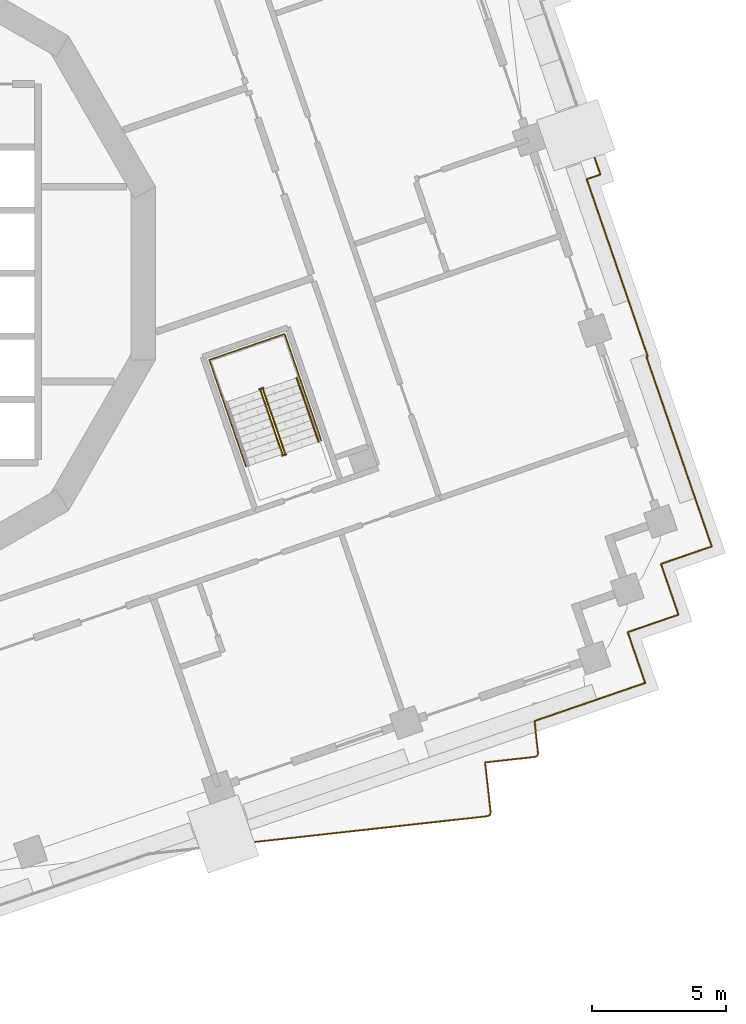
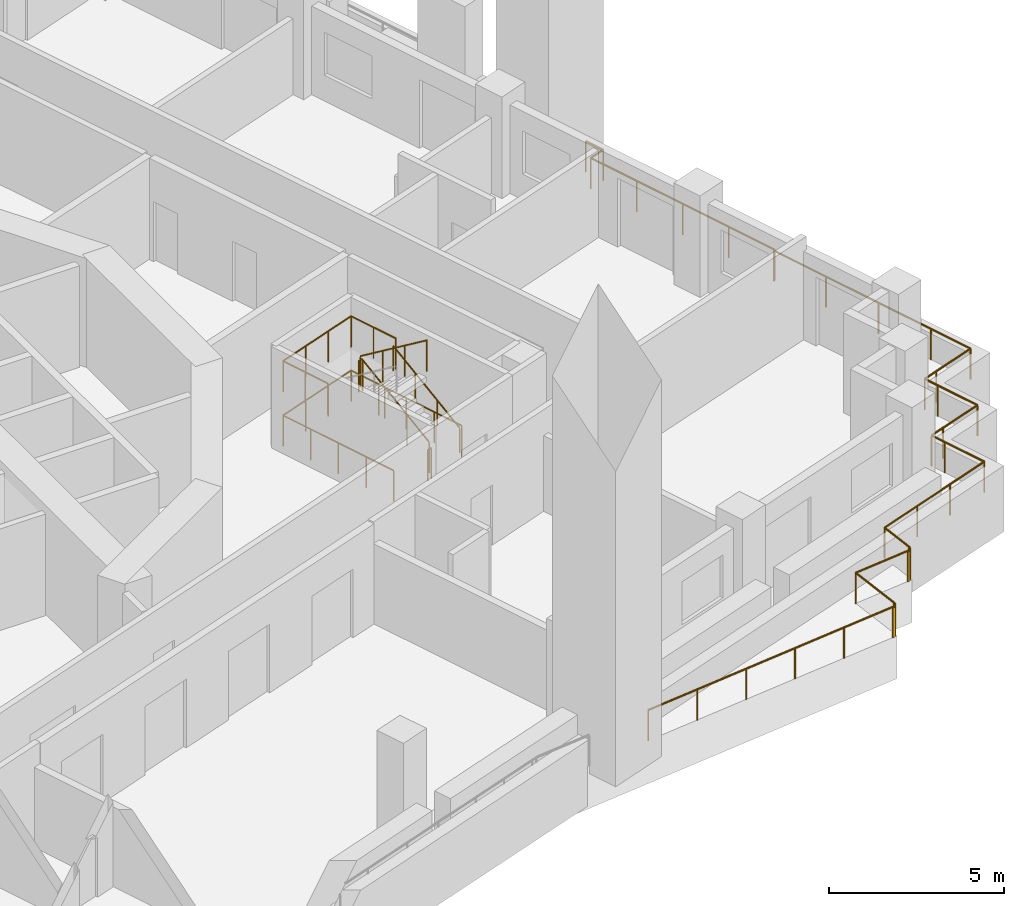
# One storey, part 13 of 18: 7 railings.
"""IFC4 building model written with IfcOpenShell, lengths in metres."""

from ifc_helpers import new_model, si_unit, direction, frame, origin, origin_2d, place, context, subcontext, project, spatial, circle, extrude, material, type_object, element, save


model = new_model("IFC4")

# Units and contexts
model_context = context("Model", 3, precision=1e-05, world=origin(), true_north=direction((0.0, 1.0)))
body_context = subcontext(model_context, "Body", "Model", "MODEL_VIEW")
ifc_project = project(units=[si_unit("LENGTHUNIT", "METRE"), si_unit("AREAUNIT", "SQUARE_METRE"), si_unit("VOLUMEUNIT", "CUBIC_METRE"), si_unit("PLANEANGLEUNIT", "RADIAN"), si_unit("MASSUNIT", "GRAM", prefix="KILO")], contexts=[model_context])

# Site, building, storey
site_placement = place(None, origin())
site = spatial("IfcSite", under=ifc_project, at=site_placement, CompositionType="ELEMENT")
building_placement = place(site_placement, origin())
building = spatial("IfcBuilding", under=site, at=building_placement, Name="Cantera Rosa Tower", CompositionType="ELEMENT")
storey_placement = place(building_placement, frame((0.0, 0.0, 100.300048828125)))
storey = spatial("IfcBuildingStorey", under=building, at=storey_placement, Name="L19", CompositionType="ELEMENT", Elevation=100.300048828125)

# Railings
ifc_material_1 = material(Name="Stainless steel and laminated glass", Category="steel")
railing_type_1 = type_object("IfcRailingType", Name="GUARD 1100", PredefinedType="BALUSTRADE", material=ifc_material_1)
railing_1_placement = place(storey_placement, frame((28.4375, 4.302734375, 0.0)))
element("IfcRailing", 1, at=railing_1_placement, inside=storey, type_object=railing_type_1, Name="GUARD L19-8", PredefinedType="BALUSTRADE", context=body_context, shape_type="SweptSolid", body=[
    extrude(circle(Radius=0.030029296875, at=origin_2d()), frame((0.0, 0.0, 1.070068359375), z_axis=(0.325659546452, -0.945487101871, 0.0), x_axis=(0.945487101871, 0.325659546452, 0.0)), (0.0, 0.0, 1.0), 0.658935546875),
    extrude(circle(Radius=0.030029296875, at=origin_2d()), frame((0.214599609375, -0.623046875, 1.070068359375), z_axis=(-0.945368163096, -0.326004656722, 0.0), x_axis=(0.326004656722, -0.945368163096, 0.0)), (0.0, 0.0, 1.0), 0.538330078125),
    extrude(circle(Radius=0.030029296875, at=origin_2d()), frame((-0.29443359375, -0.798583984375, 1.070068359375), z_axis=(0.325570342636, -0.945517822146, 0.0), x_axis=(0.945517822146, 0.325570342636, 0.0)), (0.0, 0.0, 1.0), 6.9814453125),
    extrude(circle(Radius=0.030029296875, at=origin_2d()), frame((1.978515625, -7.399658203125, 1.070068359375), z_axis=(-0.946241776499, -0.323460199109, 0.0), x_axis=(0.323460199109, -0.946241776499, 0.0)), (0.0, 0.0, 1.0), 0.050537109375),
    extrude(circle(Radius=0.030029296875, at=origin_2d()), frame((1.9306640625, -7.416015625, 1.070068359375), z_axis=(0.325549503815, -0.945524997325, 0.0), x_axis=(0.945524997325, 0.325549503815, 0.0)), (0.0, 0.0, 1.0), 5.969482421875),
    extrude(circle(Radius=0.030029296875, at=origin_2d()), frame((3.8740234375, -13.060302734375, 1.070068359375), z_axis=(0.325539181077, -0.945528551438, 0.0), x_axis=(0.945528551438, 0.325539181077, 0.0)), (0.0, 0.0, 1.0), 1.5),
    extrude(circle(Radius=0.030029296875, at=origin_2d()), frame((4.3623046875, -14.478515625, 1.070068359375), z_axis=(-0.945528551438, -0.325539181077, 0.0), x_axis=(0.325539181077, -0.945528551438, 0.0)), (0.0, 0.0, 1.0), 1.5),
    extrude(circle(Radius=0.030029296875, at=origin_2d()), frame((2.944091796875, -14.966796875, 1.070068359375), z_axis=(-0.945461173218, -0.32573481536, 0.0), x_axis=(0.32573481536, -0.945461173218, 0.0)), (0.0, 0.0, 1.0), 0.5),
    extrude(circle(Radius=0.030029296875, at=origin_2d()), frame((2.471435546875, -15.129638671875, 1.070068359375), z_axis=(0.325147989177, -0.945663145699, 0.0), x_axis=(0.945663145699, 0.325147989177, 0.0)), (0.0, 0.0, 1.0), 0.5),
    extrude(circle(Radius=0.030029296875, at=origin_2d()), frame((2.634033203125, -15.6025390625, 1.070068359375), z_axis=(0.325684689469, -0.945478441343, 0.0), x_axis=(0.945478441343, 0.325684689469, 0.0)), (0.0, 0.0, 1.0), 1.5),
    extrude(circle(Radius=0.030029296875, at=origin_2d()), frame((3.12255859375, -17.020751953125, 1.070068359375), z_axis=(-0.945545797087, -0.325489086777, 0.0), x_axis=(0.325489086777, -0.945545797087, 0.0)), (0.0, 0.0, 1.0), 1.500244140625),
    extrude(circle(Radius=0.030029296875, at=origin_2d()), frame((1.7041015625, -17.509033203125, 1.070068359375), z_axis=(-0.945461173218, -0.32573481536, 0.0), x_axis=(0.32573481536, -0.945461173218, 0.0)), (0.0, 0.0, 1.0), 0.5),
    extrude(circle(Radius=0.030029296875, at=origin_2d()), frame((1.2314453125, -17.671875, 1.070068359375), z_axis=(0.32573481536, -0.945461173218, 0.0), x_axis=(0.945461173218, 0.32573481536, 0.0)), (0.0, 0.0, 1.0), 0.5),
    extrude(circle(Radius=0.030029296875, at=origin_2d()), frame((1.394287109375, -18.14453125, 1.070068359375), z_axis=(0.325489086777, -0.945545797087, 0.0), x_axis=(0.945545797087, 0.325489086777, 0.0)), (0.0, 0.0, 1.0), 1.500244140625),
    extrude(circle(Radius=0.030029296875, at=origin_2d()), frame((1.882568359375, -19.56298828125, 1.070068359375), z_axis=(-0.945528551438, -0.325539181077, 0.0), x_axis=(0.325539181077, -0.945528551438, 0.0)), (0.0, 0.0, 1.0), 1.5),
    extrude(circle(Radius=0.030029296875, at=origin_2d()), frame((0.46435546875, -20.05126953125, 1.070068359375), z_axis=(-0.94551904958, -0.325566777914, 0.0), x_axis=(0.325566777914, -0.94551904958, 0.0)), (0.0, 0.0, 1.0), 2.85791015625),
    extrude(circle(Radius=0.030029296875, at=origin_2d()), frame((-2.23779296875, -20.981689453125, 1.070068359375), z_axis=(0.110431526075, -0.993883734674, 0.0), x_axis=(0.993883734674, 0.110431526075, 0.0)), (0.0, 0.0, 1.0), 1.182861328125),
    extrude(circle(Radius=0.030029296875, at=origin_2d()), frame((-2.107177734375, -22.1572265625, 1.070068359375), z_axis=(0.049937616944, -0.998752338878, 0.0), x_axis=(0.998752338878, 0.049937616944, 0.0)), (0.0, 0.0, 1.0), 0.0146484375),
    extrude(circle(Radius=0.030029296875, at=origin_2d()), frame((-2.1064453125, -22.171875, 1.070068359375), z_axis=(-0.033314830233, -0.999444906979, 0.0), x_axis=(0.999444906979, -0.033314830233, 0.0)), (0.0, 0.0, 1.0), 0.0146484375),
    extrude(circle(Radius=0.030029296875, at=origin_2d()), frame((-2.10693359375, -22.1865234375, 1.070068359375), z_axis=(-0.132163720091, -0.991227900683, 0.0), x_axis=(0.991227900683, -0.132163720091, 0.0)), (0.0, 0.0, 1.0), 0.014892578125),
    extrude(circle(Radius=0.030029296875, at=origin_2d()), frame((-2.10888671875, -22.201171875, 1.070068359375), z_axis=(-0.230877292468, -0.972982875401, 0.0), x_axis=(0.972982875401, -0.230877292468, 0.0)), (0.0, 0.0, 1.0), 0.014892578125),
    extrude(circle(Radius=0.030029296875, at=origin_2d()), frame((-2.1123046875, -22.215576171875, 1.070068359375), z_axis=(-0.316227766017, -0.948683298051, 0.0), x_axis=(0.948683298051, -0.316227766017, 0.0)), (0.0, 0.0, 1.0), 0.0146484375),
    extrude(circle(Radius=0.030029296875, at=origin_2d()), frame((-2.116943359375, -22.2294921875, 1.070068359375), z_axis=(-0.433815618773, -0.901001669759, 0.0), x_axis=(0.901001669759, -0.433815618773, 0.0)), (0.0, 0.0, 1.0), 0.0146484375),
    extrude(circle(Radius=0.030029296875, at=origin_2d()), frame((-2.123291015625, -22.24267578125, 1.070068359375), z_axis=(-0.49972245349, -0.866185586049, 0.0), x_axis=(0.866185586049, -0.49972245349, 0.0)), (0.0, 0.0, 1.0), 0.0146484375),
    extrude(circle(Radius=0.030029296875, at=origin_2d()), frame((-2.130615234375, -22.25537109375, 1.070068359375), z_axis=(-0.581238193719, -0.813733471207, 0.0), x_axis=(0.813733471207, -0.581238193719, 0.0)), (0.0, 0.0, 1.0), 0.0146484375),
    extrude(circle(Radius=0.030029296875, at=origin_2d()), frame((-2.13916015625, -22.267333984375, 1.070068359375), z_axis=(-0.656178714925, -0.754605522164, 0.0), x_axis=(0.754605522164, -0.656178714925, 0.0)), (0.0, 0.0, 1.0), 0.014892578125),
    extrude(circle(Radius=0.030029296875, at=origin_2d()), frame((-2.14892578125, -22.278564453125, 1.070068359375), z_axis=(-0.73160796015, -0.68172559923, 0.0), x_axis=(0.68172559923, -0.73160796015, 0.0)), (0.0, 0.0, 1.0), 0.0146484375),
    extrude(circle(Radius=0.030029296875, at=origin_2d()), frame((-2.15966796875, -22.28857421875, 1.070068359375), z_axis=(-0.8, -0.6, 0.0), x_axis=(0.6, -0.8, 0.0)), (0.0, 0.0, 1.0), 0.0146484375),
    extrude(circle(Radius=0.030029296875, at=origin_2d()), frame((-2.17138671875, -22.29736328125, 1.070068359375), z_axis=(-0.851658316705, -0.524097425664, 0.0), x_axis=(0.524097425664, -0.851658316705, 0.0)), (0.0, 0.0, 1.0), 0.014892578125),
    extrude(circle(Radius=0.030029296875, at=origin_2d()), frame((-2.18408203125, -22.30517578125, 1.070068359375), z_axis=(-0.901001669759, -0.433815618773, 0.0), x_axis=(0.433815618773, -0.901001669759, 0.0)), (0.0, 0.0, 1.0), 0.0146484375),
    extrude(circle(Radius=0.030029296875, at=origin_2d()), frame((-2.197265625, -22.3115234375, 1.070068359375), z_axis=(-0.936329177569, -0.351123441588, 0.0), x_axis=(0.351123441588, -0.936329177569, 0.0)), (0.0, 0.0, 1.0), 0.0146484375),
    extrude(circle(Radius=0.030029296875, at=origin_2d()), frame((-2.2109375, -22.316650390625, 1.070068359375), z_axis=(-0.96514032777, -0.261732970243, 0.0), x_axis=(0.261732970243, -0.96514032777, 0.0)), (0.0, 0.0, 1.0), 0.014892578125),
    extrude(circle(Radius=0.030029296875, at=origin_2d()), frame((-2.225341796875, -22.320556640625, 1.070068359375), z_axis=(-0.988564598957, -0.150797989671, 0.0), x_axis=(0.150797989671, -0.988564598957, 0.0)), (0.0, 0.0, 1.0), 0.0146484375),
    extrude(circle(Radius=0.030029296875, at=origin_2d()), frame((-2.23974609375, -22.32275390625, 1.070068359375), z_axis=(-0.99390145875, -0.11027189259, 0.0), x_axis=(0.11027189259, -0.99390145875, 0.0)), (0.0, 0.0, 1.0), 1.846435546875),
    extrude(circle(Radius=0.030029296875, at=origin_2d()), frame((-4.074951171875, -22.5263671875, 1.070068359375), z_axis=(-0.977802414077, -0.209529088731, 0.0), x_axis=(0.209529088731, -0.977802414077, 0.0)), (0.0, 0.0, 1.0), 0.00341796875),
    extrude(circle(Radius=0.030029296875, at=origin_2d()), frame((-4.078369140625, -22.527099609375, 1.070068359375), z_axis=(0.071247049988, -0.997458699831, 0.0), x_axis=(0.997458699831, 0.071247049988, 0.0)), (0.0, 0.0, 1.0), 0.00341796875),
    extrude(circle(Radius=0.030029296875, at=origin_2d()), frame((-4.078125, -22.530517578125, 1.070068359375), z_axis=(0.110286385769, -0.993899850646, 0.0), x_axis=(0.993899850646, 0.110286385769, 0.0)), (0.0, 0.0, 1.0), 1.84619140625),
    extrude(circle(Radius=0.030029296875, at=origin_2d()), frame((-3.87451171875, -24.365478515625, 1.070068359375), z_axis=(0.066519010524, -0.997785157857, 0.0), x_axis=(0.997785157857, 0.066519010524, 0.0)), (0.0, 0.0, 1.0), 0.0146484375),
    extrude(circle(Radius=0.030029296875, at=origin_2d()), frame((-3.87353515625, -24.380126953125, 1.070068359375), z_axis=(-0.032769276821, -0.999462943033, 0.0), x_axis=(0.999462943033, -0.032769276821, 0.0)), (0.0, 0.0, 1.0), 0.014892578125),
    extrude(circle(Radius=0.030029296875, at=origin_2d()), frame((-3.8740234375, -24.39501953125, 1.070068359375), z_axis=(-0.134363672974, -0.99093208818, 0.0), x_axis=(0.99093208818, -0.134363672974, 0.0)), (0.0, 0.0, 1.0), 0.0146484375),
    extrude(circle(Radius=0.030029296875, at=origin_2d()), frame((-3.8759765625, -24.409423828125, 1.070068359375), z_axis=(-0.230877292468, -0.972982875401, 0.0), x_axis=(0.972982875401, -0.230877292468, 0.0)), (0.0, 0.0, 1.0), 0.014892578125),
    extrude(circle(Radius=0.030029296875, at=origin_2d()), frame((-3.87939453125, -24.423828125, 1.070068359375), z_axis=(-0.331087713029, -0.943599982133, 0.0), x_axis=(0.943599982133, -0.331087713029, 0.0)), (0.0, 0.0, 1.0), 0.0146484375),
    extrude(circle(Radius=0.030029296875, at=origin_2d()), frame((-3.88427734375, -24.437744140625, 1.070068359375), z_axis=(-0.413802944301, -0.910366477463, 0.0), x_axis=(0.910366477463, -0.413802944301, 0.0)), (0.0, 0.0, 1.0), 0.0146484375),
    extrude(circle(Radius=0.030029296875, at=origin_2d()), frame((-3.890380859375, -24.451171875, 1.070068359375), z_axis=(-0.49972245349, -0.866185586049, 0.0), x_axis=(0.866185586049, -0.49972245349, 0.0)), (0.0, 0.0, 1.0), 0.0146484375),
    extrude(circle(Radius=0.030029296875, at=origin_2d()), frame((-3.897705078125, -24.4638671875, 1.070068359375), z_axis=(-0.592076433961, -0.805881812891, 0.0), x_axis=(0.805881812891, -0.592076433961, 0.0)), (0.0, 0.0, 1.0), 0.014892578125),
    extrude(circle(Radius=0.030029296875, at=origin_2d()), frame((-3.906494140625, -24.475830078125, 1.070068359375), z_axis=(-0.66436383883, -0.747409318684, 0.0), x_axis=(0.747409318684, -0.66436383883, 0.0)), (0.0, 0.0, 1.0), 0.0146484375),
    extrude(circle(Radius=0.030029296875, at=origin_2d()), frame((-3.916259765625, -24.48681640625, 1.070068359375), z_axis=(-0.73160796015, -0.68172559923, 0.0), x_axis=(0.68172559923, -0.73160796015, 0.0)), (0.0, 0.0, 1.0), 0.0146484375),
    extrude(circle(Radius=0.030029296875, at=origin_2d()), frame((-3.927001953125, -24.496826171875, 1.070068359375), z_axis=(-0.792010197197, -0.610507860339, 0.0), x_axis=(0.610507860339, -0.792010197197, 0.0)), (0.0, 0.0, 1.0), 0.014892578125),
    extrude(circle(Radius=0.030029296875, at=origin_2d()), frame((-3.938720703125, -24.505859375, 1.070068359375), z_axis=(-0.854521941471, -0.519415297757, 0.0), x_axis=(0.519415297757, -0.854521941471, 0.0)), (0.0, 0.0, 1.0), 0.0146484375),
    extrude(circle(Radius=0.030029296875, at=origin_2d()), frame((-3.951171875, -24.513427734375, 1.070068359375), z_axis=(-0.894427191, -0.4472135955, 0.0), x_axis=(0.4472135955, -0.894427191, 0.0)), (0.0, 0.0, 1.0), 0.0146484375),
    extrude(circle(Radius=0.030029296875, at=origin_2d()), frame((-3.96435546875, -24.52001953125, 1.070068359375), z_axis=(-0.938343116817, -0.345705358827, 0.0), x_axis=(0.345705358827, -0.938343116817, 0.0)), (0.0, 0.0, 1.0), 0.014892578125),
    extrude(circle(Radius=0.030029296875, at=origin_2d()), frame((-3.978271484375, -24.525146484375, 1.070068359375), z_axis=(-0.968146911612, -0.250382821969, 0.0), x_axis=(0.250382821969, -0.968146911612, 0.0)), (0.0, 0.0, 1.0), 0.0146484375),
    extrude(circle(Radius=0.030029296875, at=origin_2d()), frame((-3.992431640625, -24.52880859375, 1.070068359375), z_axis=(-0.986393923832, -0.164398987305, 0.0), x_axis=(0.164398987305, -0.986393923832, 0.0)), (0.0, 0.0, 1.0), 0.014892578125),
    extrude(circle(Radius=0.030029296875, at=origin_2d()), frame((-4.007080078125, -24.53125, 1.070068359375), z_axis=(-0.993896739055, -0.11031442379, 0.0), x_axis=(0.11031442379, -0.993896739055, 0.0)), (0.0, 0.0, 1.0), 8.6953125),
    extrude(circle(Radius=0.02490234375, at=origin_2d()), origin(), (0.0, 0.0, 1.0), 1.0400390625),
    extrude(circle(Radius=0.02490234375, at=origin_2d()), frame((0.214599609375, -0.623046875, 0.0)), (0.0, 0.0, 1.0), 1.0400390625),
    extrude(circle(Radius=0.02490234375, at=origin_2d()), frame((-0.29443359375, -0.798583984375, 0.0)), (0.0, 0.0, 1.0), 1.0400390625),
    extrude(circle(Radius=0.02490234375, at=origin_2d()), frame((0.27392578125, -2.44873046875, 0.0)), (0.0, 0.0, 1.0), 1.0400390625),
    extrude(circle(Radius=0.02490234375, at=origin_2d()), frame((0.842041015625, -4.09912109375, 0.0)), (0.0, 0.0, 1.0), 1.0400390625),
    extrude(circle(Radius=0.02490234375, at=origin_2d()), frame((1.41015625, -5.74951171875, 0.0)), (0.0, 0.0, 1.0), 1.0400390625),
    extrude(circle(Radius=0.02490234375, at=origin_2d()), frame((1.978515625, -7.399658203125, 0.0)), (0.0, 0.0, 1.0), 1.0400390625),
    extrude(circle(Radius=0.02490234375, at=origin_2d()), frame((1.9306640625, -7.416015625, 0.0)), (0.0, 0.0, 1.0), 1.0400390625),
    extrude(circle(Radius=0.02490234375, at=origin_2d()), frame((2.578369140625, -9.29736328125, 0.0)), (0.0, 0.0, 1.0), 1.0400390625),
    extrude(circle(Radius=0.02490234375, at=origin_2d()), frame((3.226318359375, -11.178955078125, 0.0)), (0.0, 0.0, 1.0), 1.0400390625),
    extrude(circle(Radius=0.02490234375, at=origin_2d()), frame((3.8740234375, -13.060302734375, 0.0)), (0.0, 0.0, 1.0), 1.0400390625),
    extrude(circle(Radius=0.02490234375, at=origin_2d()), frame((4.3623046875, -14.478515625, 0.0)), (0.0, 0.0, 1.0), 1.0400390625),
    extrude(circle(Radius=0.02490234375, at=origin_2d()), frame((2.944091796875, -14.966796875, 0.0)), (0.0, 0.0, 1.0), 1.0400390625),
    extrude(circle(Radius=0.02490234375, at=origin_2d()), frame((2.471435546875, -15.129638671875, 0.0)), (0.0, 0.0, 1.0), 1.0400390625),
    extrude(circle(Radius=0.02490234375, at=origin_2d()), frame((2.634033203125, -15.6025390625, 0.0)), (0.0, 0.0, 1.0), 1.0400390625),
    extrude(circle(Radius=0.02490234375, at=origin_2d()), frame((3.12255859375, -17.020751953125, 0.0)), (0.0, 0.0, 1.0), 1.0400390625),
    extrude(circle(Radius=0.02490234375, at=origin_2d()), frame((1.7041015625, -17.509033203125, 0.0)), (0.0, 0.0, 1.0), 1.0400390625),
    extrude(circle(Radius=0.02490234375, at=origin_2d()), frame((1.2314453125, -17.671875, 0.0)), (0.0, 0.0, 1.0), 1.0400390625),
    extrude(circle(Radius=0.02490234375, at=origin_2d()), frame((1.394287109375, -18.14453125, 0.0)), (0.0, 0.0, 1.0), 1.0400390625),
    extrude(circle(Radius=0.02490234375, at=origin_2d()), frame((1.882568359375, -19.56298828125, 0.0)), (0.0, 0.0, 1.0), 1.0400390625),
    extrude(circle(Radius=0.02490234375, at=origin_2d()), frame((0.46435546875, -20.05126953125, 0.0)), (0.0, 0.0, 1.0), 1.0400390625),
    extrude(circle(Radius=0.02490234375, at=origin_2d()), frame((-0.88671875, -20.5166015625, 0.0)), (0.0, 0.0, 1.0), 1.0400390625),
    extrude(circle(Radius=0.02490234375, at=origin_2d()), frame((-2.23779296875, -20.981689453125, 0.0)), (0.0, 0.0, 1.0), 1.0400390625),
    extrude(circle(Radius=0.02490234375, at=origin_2d()), frame((-2.107177734375, -22.1572265625, 0.0)), (0.0, 0.0, 1.0), 1.0400390625),
    extrude(circle(Radius=0.02490234375, at=origin_2d()), frame((-2.1064453125, -22.171875, 0.0)), (0.0, 0.0, 1.0), 1.0400390625),
    extrude(circle(Radius=0.02490234375, at=origin_2d()), frame((-2.10693359375, -22.1865234375, 0.0)), (0.0, 0.0, 1.0), 1.0400390625),
    extrude(circle(Radius=0.02490234375, at=origin_2d()), frame((-2.10888671875, -22.201171875, 0.0)), (0.0, 0.0, 1.0), 1.0400390625),
    extrude(circle(Radius=0.02490234375, at=origin_2d()), frame((-2.1123046875, -22.215576171875, 0.0)), (0.0, 0.0, 1.0), 1.0400390625),
    extrude(circle(Radius=0.02490234375, at=origin_2d()), frame((-2.116943359375, -22.2294921875, 0.0)), (0.0, 0.0, 1.0), 1.0400390625),
    extrude(circle(Radius=0.02490234375, at=origin_2d()), frame((-2.123291015625, -22.24267578125, 0.0)), (0.0, 0.0, 1.0), 1.0400390625),
    extrude(circle(Radius=0.02490234375, at=origin_2d()), frame((-2.130615234375, -22.25537109375, 0.0)), (0.0, 0.0, 1.0), 1.0400390625),
    extrude(circle(Radius=0.02490234375, at=origin_2d()), frame((-2.13916015625, -22.267333984375, 0.0)), (0.0, 0.0, 1.0), 1.0400390625),
    extrude(circle(Radius=0.02490234375, at=origin_2d()), frame((-2.14892578125, -22.278564453125, 0.0)), (0.0, 0.0, 1.0), 1.0400390625),
    extrude(circle(Radius=0.02490234375, at=origin_2d()), frame((-2.15966796875, -22.28857421875, 0.0)), (0.0, 0.0, 1.0), 1.0400390625),
    extrude(circle(Radius=0.02490234375, at=origin_2d()), frame((-2.17138671875, -22.29736328125, 0.0)), (0.0, 0.0, 1.0), 1.0400390625),
    extrude(circle(Radius=0.02490234375, at=origin_2d()), frame((-2.18408203125, -22.30517578125, 0.0)), (0.0, 0.0, 1.0), 1.0400390625),
    extrude(circle(Radius=0.02490234375, at=origin_2d()), frame((-2.197265625, -22.3115234375, 0.0)), (0.0, 0.0, 1.0), 1.0400390625),
    extrude(circle(Radius=0.02490234375, at=origin_2d()), frame((-2.2109375, -22.316650390625, 0.0)), (0.0, 0.0, 1.0), 1.0400390625),
    extrude(circle(Radius=0.02490234375, at=origin_2d()), frame((-2.225341796875, -22.320556640625, 0.0)), (0.0, 0.0, 1.0), 1.0400390625),
    extrude(circle(Radius=0.02490234375, at=origin_2d()), frame((-2.23974609375, -22.32275390625, 0.0)), (0.0, 0.0, 1.0), 1.0400390625),
    extrude(circle(Radius=0.02490234375, at=origin_2d()), frame((-4.074951171875, -22.5263671875, 0.0)), (0.0, 0.0, 1.0), 1.0400390625),
    extrude(circle(Radius=0.02490234375, at=origin_2d()), frame((-4.078369140625, -22.527099609375, 0.0)), (0.0, 0.0, 1.0), 1.0400390625),
    extrude(circle(Radius=0.02490234375, at=origin_2d()), frame((-4.078125, -22.530517578125, 0.0)), (0.0, 0.0, 1.0), 1.0400390625),
    extrude(circle(Radius=0.02490234375, at=origin_2d()), frame((-3.87451171875, -24.365478515625, 0.0)), (0.0, 0.0, 1.0), 1.0400390625),
    extrude(circle(Radius=0.02490234375, at=origin_2d()), frame((-3.87353515625, -24.380126953125, 0.0)), (0.0, 0.0, 1.0), 1.0400390625),
    extrude(circle(Radius=0.02490234375, at=origin_2d()), frame((-3.8740234375, -24.39501953125, 0.0)), (0.0, 0.0, 1.0), 1.0400390625),
    extrude(circle(Radius=0.02490234375, at=origin_2d()), frame((-3.8759765625, -24.409423828125, 0.0)), (0.0, 0.0, 1.0), 1.0400390625),
    extrude(circle(Radius=0.02490234375, at=origin_2d()), frame((-3.87939453125, -24.423828125, 0.0)), (0.0, 0.0, 1.0), 1.0400390625),
    extrude(circle(Radius=0.02490234375, at=origin_2d()), frame((-3.88427734375, -24.437744140625, 0.0)), (0.0, 0.0, 1.0), 1.0400390625),
    extrude(circle(Radius=0.02490234375, at=origin_2d()), frame((-3.890380859375, -24.451171875, 0.0)), (0.0, 0.0, 1.0), 1.0400390625),
    extrude(circle(Radius=0.02490234375, at=origin_2d()), frame((-3.897705078125, -24.4638671875, 0.0)), (0.0, 0.0, 1.0), 1.0400390625),
    extrude(circle(Radius=0.02490234375, at=origin_2d()), frame((-3.906494140625, -24.475830078125, 0.0)), (0.0, 0.0, 1.0), 1.0400390625),
    extrude(circle(Radius=0.02490234375, at=origin_2d()), frame((-3.916259765625, -24.48681640625, 0.0)), (0.0, 0.0, 1.0), 1.0400390625),
    extrude(circle(Radius=0.02490234375, at=origin_2d()), frame((-3.927001953125, -24.496826171875, 0.0)), (0.0, 0.0, 1.0), 1.0400390625),
    extrude(circle(Radius=0.02490234375, at=origin_2d()), frame((-3.938720703125, -24.505859375, 0.0)), (0.0, 0.0, 1.0), 1.0400390625),
    extrude(circle(Radius=0.02490234375, at=origin_2d()), frame((-3.951171875, -24.513427734375, 0.0)), (0.0, 0.0, 1.0), 1.0400390625),
    extrude(circle(Radius=0.02490234375, at=origin_2d()), frame((-3.96435546875, -24.52001953125, 0.0)), (0.0, 0.0, 1.0), 1.0400390625),
    extrude(circle(Radius=0.02490234375, at=origin_2d()), frame((-3.978271484375, -24.525146484375, 0.0)), (0.0, 0.0, 1.0), 1.0400390625),
    extrude(circle(Radius=0.02490234375, at=origin_2d()), frame((-3.992431640625, -24.52880859375, 0.0)), (0.0, 0.0, 1.0), 1.0400390625),
    extrude(circle(Radius=0.02490234375, at=origin_2d()), frame((-4.007080078125, -24.53125, 0.0)), (0.0, 0.0, 1.0), 1.0400390625),
    extrude(circle(Radius=0.02490234375, at=origin_2d()), frame((-5.735595703125, -24.72314453125, 0.0)), (0.0, 0.0, 1.0), 1.0400390625),
    extrude(circle(Radius=0.02490234375, at=origin_2d()), frame((-7.464111328125, -24.9150390625, 0.0)), (0.0, 0.0, 1.0), 1.0400390625),
    extrude(circle(Radius=0.02490234375, at=origin_2d()), frame((-9.1923828125, -25.106689453125, 0.0)), (0.0, 0.0, 1.0), 1.0400390625),
    extrude(circle(Radius=0.02490234375, at=origin_2d()), frame((-10.9208984375, -25.298583984375, 0.0)), (0.0, 0.0, 1.0), 1.0400390625),
    extrude(circle(Radius=0.02490234375, at=origin_2d()), frame((-12.6494140625, -25.490478515625, 0.0)), (0.0, 0.0, 1.0), 1.0400390625),
])
ifc_material_2 = material(Name="Steel S355J2 (EN 10025-2)", Category="steel")
railing_type_2 = type_object("IfcRailingType", Name="STAIR GUARD 1100", PredefinedType="GUARDRAIL", material=ifc_material_2)
railing_2_placement = place(storey_placement, frame((16.902099609375, -6.707763671875, 0.18994140625)))
element("IfcRailing", 2, at=railing_2_placement, inside=storey, type_object=railing_type_2, Name="L19 ST-23 stair guard 1", PredefinedType="GUARDRAIL", context=body_context, shape_type="SweptSolid", body=[
    extrude(circle(Radius=0.02392578125, at=origin_2d()), frame((0.0, 0.0, 1.076171875), z_axis=(-0.269358070891, 0.782421063063, 0.561483312059), x_axis=(-0.945537585866, -0.325512939397, 0.0)), (0.0, 0.0, 1.0), 3.04541015625),
    extrude(circle(Radius=0.02392578125, at=origin_2d()), frame((-0.8203125, 2.3828125, 2.7861328125), z_axis=(0.147491890402, 0.989063265047, 0.0), x_axis=(-0.989063265047, 0.147491890402, 0.0)), (0.0, 0.0, 1.0), 0.056396484375),
    extrude(circle(Radius=0.02392578125, at=origin_2d()), frame((-0.81201171875, 2.4384765625, 2.7861328125), z_axis=(-0.945545797087, -0.325489086777, 0.0), x_axis=(0.325489086777, -0.945545797087, 0.0)), (0.0, 0.0, 1.0), 0.14990234375),
    extrude(circle(Radius=0.02099609375, at=origin_2d()), origin(), (0.0, 0.0, 1.0), 1.052001953125),
    extrude(circle(Radius=0.02099609375, at=origin_2d()), frame((-0.2734375, 0.794189453125, 0.570068359375)), (0.0, 0.0, 1.0), 1.052001953125),
    extrude(circle(Radius=0.02099609375, at=origin_2d()), frame((-0.546875, 1.588623046875, 1.139892578125)), (0.0, 0.0, 1.0), 1.052001953125),
    extrude(circle(Radius=0.02099609375, at=origin_2d()), frame((-0.8203125, 2.3828125, 1.7099609375)), (0.0, 0.0, 1.0), 1.052001953125),
    extrude(circle(Radius=0.02099609375, at=origin_2d()), frame((-0.81201171875, 2.4384765625, 1.7099609375)), (0.0, 0.0, 1.0), 1.052001953125),
    extrude(circle(Radius=0.02099609375, at=origin_2d()), frame((-0.953857421875, 2.3896484375, 1.7099609375)), (0.0, 0.0, 1.0), 1.052001953125),
])
railing_3_placement = place(storey_placement, frame((15.989013671875, -4.35693359375, 2.08984375)))
element("IfcRailing", 3, at=railing_3_placement, inside=storey, type_object=railing_type_2, Name="L19 ST-23 stair guard 2", PredefinedType="GUARDRAIL", context=body_context, shape_type="SweptSolid", body=[
    extrude(circle(Radius=0.02392578125, at=origin_2d()), frame((0.0, 0.0, 1.076171875), z_axis=(0.269420291028, -0.782368949847, 0.561526075172), x_axis=(0.94550776501, 0.325599548996, 0.0)), (0.0, 0.0, 1.0), 3.045654296875),
    extrude(circle(Radius=0.02099609375, at=origin_2d()), origin(), (0.0, 0.0, 1.0), 1.052001953125),
    extrude(circle(Radius=0.02099609375, at=origin_2d()), frame((0.2734375, -0.794189453125, 0.570068359375)), (0.0, 0.0, 1.0), 1.052001953125),
    extrude(circle(Radius=0.02099609375, at=origin_2d()), frame((0.547119140625, -1.588623046875, 1.14013671875)), (0.0, 0.0, 1.0), 1.052001953125),
    extrude(circle(Radius=0.02099609375, at=origin_2d()), frame((0.820556640625, -2.3828125, 1.710205078125)), (0.0, 0.0, 1.0), 1.052001953125),
])
railing_4_placement = place(storey_placement, frame((16.94287109375, -6.74658203125, 0.0)))
element("IfcRailing", 4, at=railing_4_placement, inside=storey, type_object=railing_type_2, Name="L19 ST-23 stair guard 3", PredefinedType="GUARDRAIL", context=body_context, shape_type="SweptSolid", body=[
    extrude(circle(Radius=0.02392578125, at=origin_2d()), frame((0.0, 0.0, 1.076171875), z_axis=(-0.945372981626, -0.325990683319, 0.0), x_axis=(0.325990683319, -0.945372981626, 0.0)), (0.0, 0.0, 1.0), 0.14990234375),
    extrude(circle(Radius=0.02099609375, at=origin_2d()), origin(), (0.0, 0.0, 1.0), 1.052001953125),
    extrude(circle(Radius=0.02099609375, at=origin_2d()), frame((-0.1416015625, -0.048828125, 0.0)), (0.0, 0.0, 1.0), 1.052001953125),
])
railing_5_placement = place(storey_placement, frame((18.256103515625, -6.22900390625, 0.0)))
element("IfcRailing", 5, at=railing_5_placement, inside=storey, type_object=railing_type_2, Name="L19 ST-23 stair guard 4", PredefinedType="GUARDRAIL", context=body_context, shape_type="SweptSolid", body=[
    extrude(circle(Radius=0.02392578125, at=origin_2d()), frame((0.0, 0.0, 1.076171875), z_axis=(-0.3255981694, 0.945508240093, 0.0), x_axis=(-0.945508240093, -0.3255981694, 0.0)), (0.0, 0.0, 1.0), 4.1982421875),
    extrude(circle(Radius=0.02392578125, at=origin_2d()), frame((-1.366943359375, 3.969482421875, 1.076171875), z_axis=(-0.945504814226, -0.325608117645, 0.0), x_axis=(0.325608117645, -0.945504814226, 0.0)), (0.0, 0.0, 1.0), 2.969970703125),
    extrude(circle(Radius=0.02392578125, at=origin_2d()), frame((-4.175048828125, 3.00244140625, 1.076171875), z_axis=(0.325564081496, -0.945519978022, 0.0), x_axis=(0.945519978022, 0.325564081496, 0.0)), (0.0, 0.0, 1.0), 4.197998046875),
    extrude(circle(Radius=0.02099609375, at=origin_2d()), origin(), (0.0, 0.0, 1.0), 1.052001953125),
    extrude(circle(Radius=0.02099609375, at=origin_2d()), frame((-0.341796875, 0.992431640625, 0.0)), (0.0, 0.0, 1.0), 1.052001953125),
    extrude(circle(Radius=0.02099609375, at=origin_2d()), frame((-0.68359375, 1.98486328125, 0.0)), (0.0, 0.0, 1.0), 1.052001953125),
    extrude(circle(Radius=0.02099609375, at=origin_2d()), frame((-1.025146484375, 2.97705078125, 0.0)), (0.0, 0.0, 1.0), 1.052001953125),
    extrude(circle(Radius=0.02099609375, at=origin_2d()), frame((-1.366943359375, 3.969482421875, 0.0)), (0.0, 0.0, 1.0), 1.052001953125),
    extrude(circle(Radius=0.02099609375, at=origin_2d()), frame((-2.302978515625, 3.647216796875, 0.0)), (0.0, 0.0, 1.0), 1.052001953125),
    extrude(circle(Radius=0.02099609375, at=origin_2d()), frame((-3.239013671875, 3.32470703125, 0.0)), (0.0, 0.0, 1.0), 1.052001953125),
    extrude(circle(Radius=0.02099609375, at=origin_2d()), frame((-4.175048828125, 3.00244140625, 0.0)), (0.0, 0.0, 1.0), 1.052001953125),
    extrude(circle(Radius=0.02099609375, at=origin_2d()), frame((-3.83349609375, 2.01025390625, 0.0)), (0.0, 0.0, 1.0), 1.052001953125),
    extrude(circle(Radius=0.02099609375, at=origin_2d()), frame((-3.49169921875, 1.017822265625, 0.0)), (0.0, 0.0, 1.0), 1.052001953125),
    extrude(circle(Radius=0.02099609375, at=origin_2d()), frame((-3.14990234375, 0.025390625, 0.0)), (0.0, 0.0, 1.0), 1.052001953125),
    extrude(circle(Radius=0.02099609375, at=origin_2d()), frame((-2.808349609375, -0.966796875, 0.0)), (0.0, 0.0, 1.0), 1.052001953125),
])
railing_6_placement = place(storey_placement, frame((17.443359375, -3.868896484375, 1.89990234375)))
element("IfcRailing", 6, at=railing_6_placement, inside=storey, type_object=railing_type_2, Name="L19 ST-23 stair guard 5", PredefinedType="GUARDRAIL", context=body_context, shape_type="SweptSolid", body=[
    extrude(circle(Radius=0.02392578125, at=origin_2d()), frame((0.0, 0.0, 1.076171875), z_axis=(-0.32559282233, 0.94551008141, 0.0), x_axis=(-0.94551008141, -0.32559282233, 0.0)), (0.0, 0.0, 1.0), 1.7021484375),
    extrude(circle(Radius=0.02392578125, at=origin_2d()), frame((-0.55419921875, 1.609375, 1.076171875), z_axis=(-0.945504814226, -0.325608117645, 0.0), x_axis=(0.325608117645, -0.945504814226, 0.0)), (0.0, 0.0, 1.0), 2.969970703125),
    extrude(circle(Radius=0.02392578125, at=origin_2d()), frame((-3.3623046875, 0.642333984375, 1.076171875), z_axis=(0.32559282233, -0.94551008141, 0.0), x_axis=(0.94551008141, 0.32559282233, 0.0)), (0.0, 0.0, 1.0), 1.7021484375),
    extrude(circle(Radius=0.02099609375, at=origin_2d()), origin(), (0.0, 0.0, 1.0), 1.052001953125),
    extrude(circle(Radius=0.02099609375, at=origin_2d()), frame((-0.277099609375, 0.8046875, 0.0)), (0.0, 0.0, 1.0), 1.052001953125),
    extrude(circle(Radius=0.02099609375, at=origin_2d()), frame((-0.55419921875, 1.609375, 0.0)), (0.0, 0.0, 1.0), 1.052001953125),
    extrude(circle(Radius=0.02099609375, at=origin_2d()), frame((-1.490234375, 1.287109375, 0.0)), (0.0, 0.0, 1.0), 1.052001953125),
    extrude(circle(Radius=0.02099609375, at=origin_2d()), frame((-2.42626953125, 0.964599609375, 0.0)), (0.0, 0.0, 1.0), 1.052001953125),
    extrude(circle(Radius=0.02099609375, at=origin_2d()), frame((-3.3623046875, 0.642333984375, 0.0)), (0.0, 0.0, 1.0), 1.052001953125),
    extrude(circle(Radius=0.02099609375, at=origin_2d()), frame((-3.085205078125, -0.162353515625, 0.0)), (0.0, 0.0, 1.0), 1.052001953125),
    extrude(circle(Radius=0.02099609375, at=origin_2d()), frame((-2.80810546875, -0.967041015625, 0.0)), (0.0, 0.0, 1.0), 1.052001953125),
])
ifc_material_3 = material(Name="Steel S355J2 (EN 10025-2)", Category="steel")
railing_type_3 = type_object("IfcRailingType", Name="STAIR HANDRAIL 900", PredefinedType="HANDRAIL", material=ifc_material_3)
railing_7_placement = place(storey_placement, frame((18.15576171875, -6.276123046875, 0.18994140625)))
element("IfcRailing", 7, at=railing_7_placement, inside=storey, type_object=railing_type_3, Name="L19 ST-23 stair handrail 1", PredefinedType="HANDRAIL", context=body_context, shape_type="SweptSolid", body=[
    extrude(circle(Radius=0.02392578125, at=origin_2d()), frame((0.0, 0.0, 0.8759765625), z_axis=(-0.269358070891, 0.782421063063, 0.561483312059), x_axis=(-0.945537585866, -0.325512939397, 0.0)), (0.0, 0.0, 1.0), 3.04541015625),
    extrude(circle(Radius=0.02099609375, at=origin_2d()), origin(), (0.0, 0.0, 1.0), 0.851806640625),
    extrude(circle(Radius=0.02099609375, at=origin_2d()), frame((-0.2734375, 0.794189453125, 0.570068359375)), (0.0, 0.0, 1.0), 0.851806640625),
    extrude(circle(Radius=0.02099609375, at=origin_2d()), frame((-0.546875, 1.588623046875, 1.139892578125)), (0.0, 0.0, 1.0), 0.851806640625),
    extrude(circle(Radius=0.02099609375, at=origin_2d()), frame((-0.8203125, 2.3828125, 1.7099609375)), (0.0, 0.0, 1.0), 0.851806640625),
])

save(model, "model.ifc")
